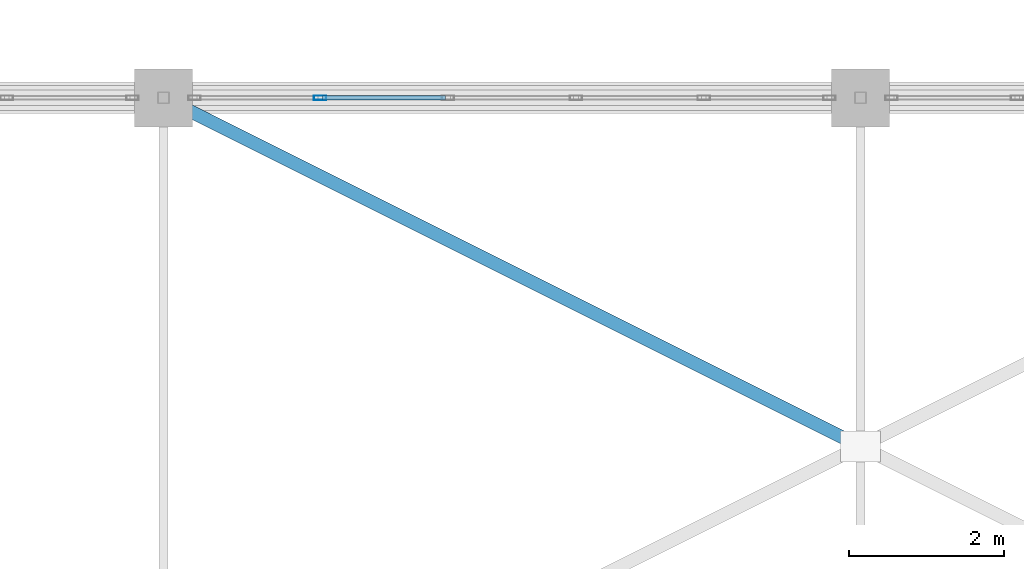
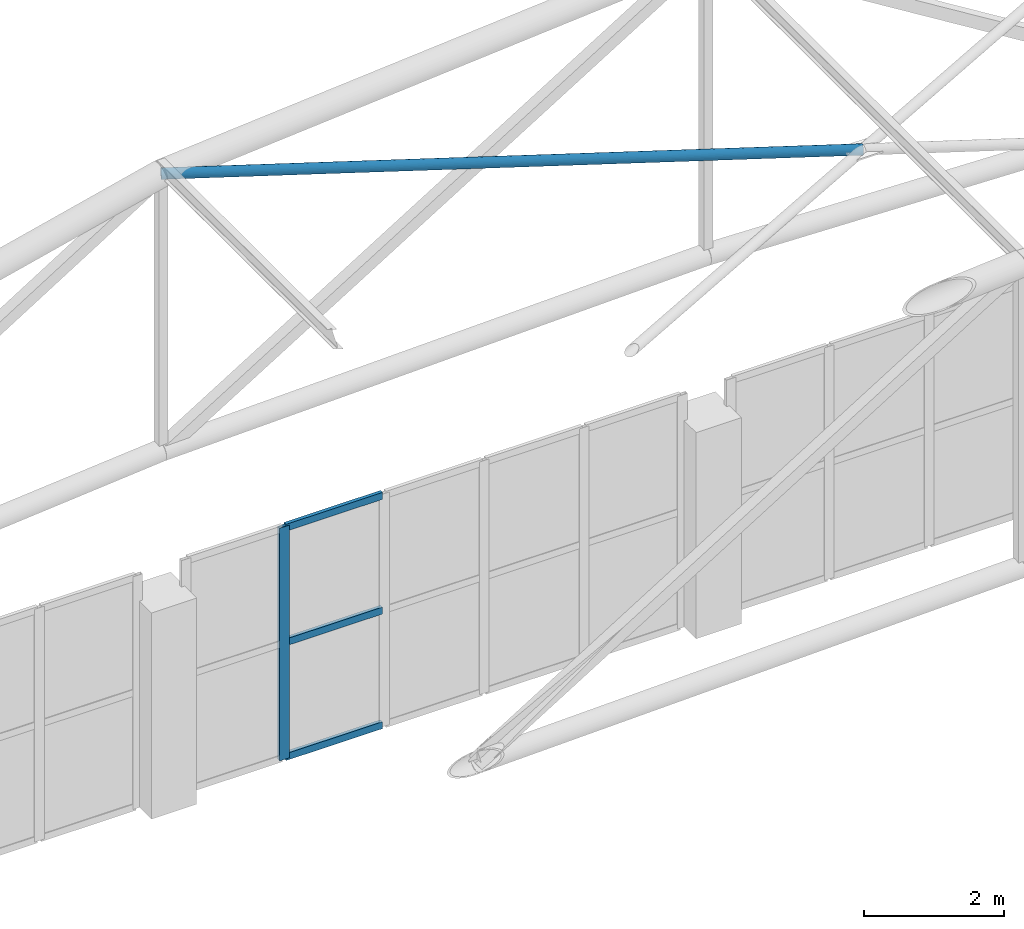
# One storey, part 107 of 167: 5 members, 1 element without a shape of its own.
"""IFC4 building model written with IfcOpenShell, lengths in metres."""

from ifc_helpers import new_model, si_unit, direction, frame, origin, origin_2d, place, context, subcontext, project, spatial, hollow_rectangle, hollow_circle, extrude, material, layer, layer_set, material_profile, profile_set, type_object, element, aggregate, save


model = new_model("IFC4")

# Units and contexts
model_context = context("Model", 3, precision=1e-05, world=origin(), true_north=direction((0.0, 1.0)))
body_context = subcontext(model_context, "Body", "Model", "MODEL_VIEW")
ifc_project = project(units=[si_unit("LENGTHUNIT", "METRE"), si_unit("AREAUNIT", "SQUARE_METRE"), si_unit("VOLUMEUNIT", "CUBIC_METRE"), si_unit("PLANEANGLEUNIT", "RADIAN"), si_unit("MASSUNIT", "GRAM", prefix="KILO")], contexts=[model_context])

# Site, building, storey
site_placement = place(None, origin())
site = spatial("IfcSite", under=ifc_project, at=site_placement, CompositionType="ELEMENT")
building_placement = place(site_placement, origin())
building = spatial("IfcBuilding", under=site, at=building_placement, Name="Dornveld Trade and Exhibition Forum", CompositionType="ELEMENT")
storey_placement = place(building_placement, frame((0.0, 0.0, 16.800048828125)))
storey = spatial("IfcBuildingStorey", under=building, at=storey_placement, Name="L03", CompositionType="ELEMENT", Elevation=16.800048828125)

# Curtain wall, members
ifc_material_1 = material(Name="Dark-bronze anodised aluminium and low-E glass", Category="aluminium")
ifc_layer = layer(ifc_material_1, 0.196044921875)
ifc_layer_set = layer_set([ifc_layer], Name="Dark-bronze anodised aluminium and low-E glass")
curtain_wall_type = type_object("IfcCurtainWallType", Name="CW-SYS-18", PredefinedType="USERDEFINED", material=ifc_layer_set)
curtain_wall_placement = place(storey_placement, origin())
curtain_wall = element("IfcCurtainWall", 1, at=curtain_wall_placement, inside=storey, type_object=curtain_wall_type, Name="L03 unitised curtain wall 36", ObjectType="UNITISED_CURTAIN_WALL", PredefinedType="USERDEFINED")
ifc_material_2 = material(Name="Dark-bronze anodised aluminium", Category="aluminium")
ifc_material_profile_1 = material_profile(ifc_material_2, hollow_rectangle(XDim=0.06005859375, YDim=0.159912109375, WallThickness=0.00390625, at=origin_2d()), Name="RHS 160x60x4")
ifc_profile_set_1 = profile_set([ifc_material_profile_1], Name="Dark-bronze anodised aluminium")
member_type_1 = type_object("IfcMemberType", Name="CW-MUL-160", PredefinedType="MULLION", material=ifc_profile_set_1)
member_1_placement = place(storey_placement, frame((47.022705078125, 135.0, -0.004150390625), z_axis=(0.0, 0.0, 1.0), x_axis=(0.0, -1.0, 0.0)))
member_1 = element("IfcMember", 2, at=member_1_placement, type_object=member_type_1, Name="CW-18 mullion 5", PredefinedType="MULLION", context=body_context, shape_type="SweptSolid", body=[
    extrude(hollow_rectangle(XDim=0.06005859375, YDim=0.159912109375, WallThickness=0.00390625, at=origin_2d()), origin(), (0.0, 0.0, 1.0), 4.064208984375),
])
ifc_material_3 = material(Name="Dark-bronze anodised aluminium", Category="aluminium")
ifc_material_profile_2 = material_profile(ifc_material_3, hollow_rectangle(XDim=0.06005859375, YDim=0.1201171875, WallThickness=0.00390625, at=origin_2d()), Name="RHS 120x60x4")
ifc_profile_set_2 = profile_set([ifc_material_profile_2], Name="Dark-bronze anodised aluminium")
member_type_2 = type_object("IfcMemberType", Name="CW-TRN-120", PredefinedType="USERDEFINED", material=ifc_profile_set_2)
member_2_placement = place(storey_placement, frame((48.644287109375, 135.0, 0.02587890625), z_axis=(-1.0, 0.0, 0.0), x_axis=(0.0, -1.0, 0.0)))
member_2 = element("IfcMember", 3, at=member_2_placement, type_object=member_type_2, Name="CW-18 transom 4.1", ObjectType="TRANSOM", PredefinedType="USERDEFINED", context=body_context, shape_type="SweptSolid", body=[
    extrude(hollow_rectangle(XDim=0.06005859375, YDim=0.1201171875, WallThickness=0.00390625, at=origin_2d()), origin(), (0.0, 0.0, 1.0), 1.591796875),
])
member_3_placement = place(storey_placement, frame((48.644287109375, 135.0, 2.02783203125), z_axis=(-1.0, 0.0, 0.0), x_axis=(0.0, -1.0, 0.0)))
member_3 = element("IfcMember", 4, at=member_3_placement, type_object=member_type_2, Name="CW-18 transom 4.2", ObjectType="TRANSOM", PredefinedType="USERDEFINED", context=body_context, shape_type="SweptSolid", body=[
    extrude(hollow_rectangle(XDim=0.06005859375, YDim=0.1201171875, WallThickness=0.00390625, at=origin_2d()), origin(), (0.0, 0.0, 1.0), 1.591796875),
])
member_4_placement = place(storey_placement, frame((48.644287109375, 135.0, 4.030029296875), z_axis=(-1.0, 0.0, 0.0), x_axis=(0.0, -1.0, 0.0)))
member_4 = element("IfcMember", 5, at=member_4_placement, type_object=member_type_2, Name="CW-18 transom 4.3", ObjectType="TRANSOM", PredefinedType="USERDEFINED", context=body_context, shape_type="SweptSolid", body=[
    extrude(hollow_rectangle(XDim=0.06005859375, YDim=0.1201171875, WallThickness=0.00390625, at=origin_2d()), origin(), (0.0, 0.0, 1.0), 1.591796875),
])
aggregate(curtain_wall, [member_1, member_2, member_3, member_4])

# Member
ifc_material_4 = material(Name="Steel S355J2", Category="steel")
ifc_material_profile_3 = material_profile(ifc_material_4, hollow_circle(Radius=0.084228515625, WallThickness=0.008056640625, at=origin_2d()), Name="CHS 168.3x8")
ifc_profile_set_3 = profile_set([ifc_material_profile_3], Name="Steel S355J2")
member_type_3 = type_object("IfcMemberType", Name="MEM-BRACE-168", PredefinedType="BRACE", material=ifc_profile_set_3)
member_5_placement = place(storey_placement, frame((54.0, 130.5, 10.916748046875), z_axis=(-0.894427191, 0.4472135955, 0.0), x_axis=(-0.4472135955, -0.894427191, 0.0)))
element("IfcMember", 6, at=member_5_placement, inside=storey, type_object=member_type_3, Name="H3 roof wind brace 11B2", PredefinedType="BRACE", context=body_context, shape_type="SweptSolid", body=[
    extrude(hollow_circle(Radius=0.084228515625, WallThickness=0.008056640625, at=origin_2d()), origin(), (0.0, 0.0, 1.0), 10.062255859375),
])

save(model, "model.ifc")
